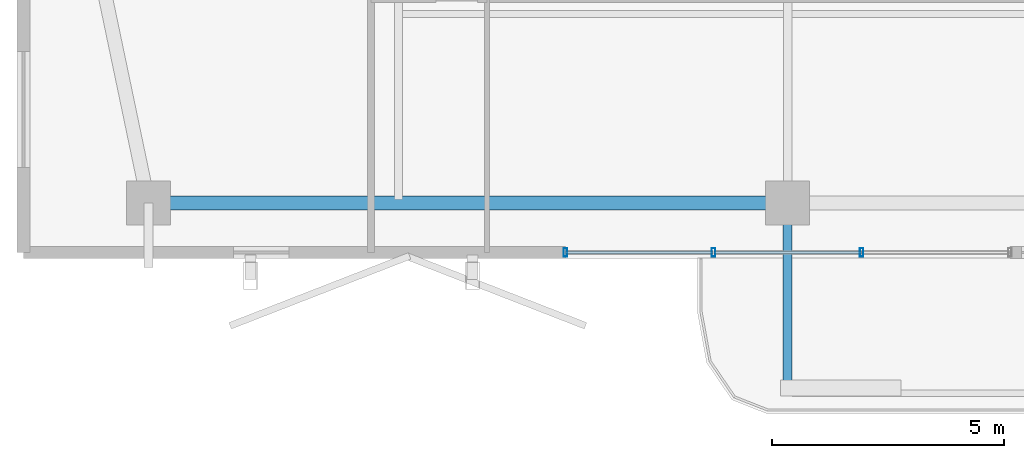
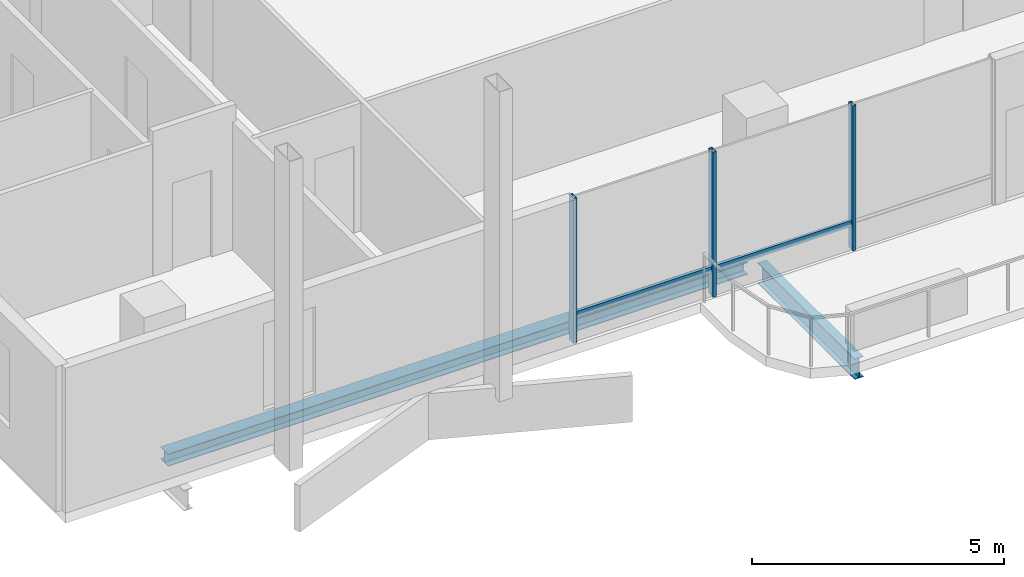
# One storey, part 3 of 20: 5 members, 2 beams, 1 element without a shape of its own.
"""IFC4 building model written with IfcOpenShell, lengths in metres."""

from ifc_helpers import new_model, si_unit, direction, frame, origin, origin_2d, place, context, subcontext, project, spatial, hollow_rectangle, i_section, extrude, material, layer, layer_set, material_profile, profile_set, type_object, element, aggregate, save


model = new_model("IFC4")

# Units and contexts
model_context = context("Model", 3, precision=1e-05, world=origin(), true_north=direction((0.0, 1.0)))
body_context = subcontext(model_context, "Body", "Model", "MODEL_VIEW")
ifc_project = project(units=[si_unit("LENGTHUNIT", "METRE"), si_unit("AREAUNIT", "SQUARE_METRE"), si_unit("VOLUMEUNIT", "CUBIC_METRE"), si_unit("PLANEANGLEUNIT", "RADIAN"), si_unit("MASSUNIT", "GRAM", prefix="KILO")], contexts=[model_context])

# Site, building, storey
site_placement = place(None, origin())
site = spatial("IfcSite", under=ifc_project, at=site_placement, CompositionType="ELEMENT")
building_placement = place(site_placement, origin())
building = spatial("IfcBuilding", under=site, at=building_placement, Name="Belovzor Exchange Tower", CompositionType="ELEMENT")
storey_placement = place(building_placement, frame((0.0, 0.0, 321.75)))
storey = spatial("IfcBuildingStorey", under=building, at=storey_placement, Name="L80", CompositionType="ELEMENT", Elevation=321.75)

# Beam
ifc_material_1 = material(Name="Steel S355", Category="steel")
ifc_material_profile_1 = material_profile(ifc_material_1, i_section(OverallWidth=0.199951171875, OverallDepth=0.5, WebThickness=0.01025390625, FlangeThickness=0.01611328125, at=origin_2d()))
ifc_profile_set_1 = profile_set([ifc_material_profile_1], Name="Steel S355")
beam_type_1 = type_object("IfcBeamType", Name="Planted Balcony Cantilever Beam IPE 500", PredefinedType="BEAM", material=ifc_profile_set_1)
beam_1_placement = place(storey_placement, frame((28.800048828125, 6.93896484375, -0.489990234375), z_axis=(0.0, -1.0, 0.0), x_axis=(1.0, 0.0, 0.0)))
element("IfcBeam", 1, at=beam_1_placement, inside=storey, type_object=beam_type_1, Name="BC-500 Planted Balcony Cantilever Beam IPE 500", PredefinedType="BEAM", context=body_context, shape_type="SweptSolid", body=[
    extrude(i_section(OverallWidth=0.199951171875, OverallDepth=0.5, WebThickness=0.01025390625, FlangeThickness=0.01611328125, at=origin_2d()), origin(), (0.0, 0.0, 1.0), 3.849853515625),
])

# Curtain wall, members
ifc_material_2 = material(Name="Anodised Aluminium Framing", Category="aluminium")
ifc_layer = layer(ifc_material_2, 0.179931640625)
ifc_layer_set = layer_set([ifc_layer], Name="Anodised Aluminium Framing")
curtain_wall_type = type_object("IfcCurtainWallType", Name="Recessed Loggia Low-Iron Triple-Glazed Curtain Wall", PredefinedType="NOTDEFINED", material=ifc_layer_set)
curtain_wall_placement = place(storey_placement, origin())
curtain_wall = element("IfcCurtainWall", 2, at=curtain_wall_placement, inside=storey, type_object=curtain_wall_type, Name="CW3 Recessed Loggia Low-Iron Triple-Glazed Curtain Wall L80", PredefinedType="NOTDEFINED")
ifc_material_3 = material(Name="Steel S355", Category="steel")
ifc_material_profile_2 = material_profile(ifc_material_3, hollow_rectangle(XDim=0.074951171875, YDim=0.179931640625, WallThickness=0.0048828125, at=origin_2d()))
ifc_profile_set_2 = profile_set([ifc_material_profile_2], Name="Steel S355")
member_type_1 = type_object("IfcMemberType", Name="Thermally Broken Curtain Wall Mullion 180x75", PredefinedType="MULLION", material=ifc_profile_set_2)
member_1_placement = place(storey_placement, frame((30.39990234375, 6.1298828125, 0.0), z_axis=(0.0, 0.0, 1.0), x_axis=(-1.0, 0.0, 0.0)))
member_1 = element("IfcMember", 3, at=member_1_placement, type_object=member_type_1, Name="CW-M180 Curtain Wall Mullion 2", PredefinedType="MULLION", context=body_context, shape_type="SweptSolid", body=[
    extrude(hollow_rectangle(XDim=0.074951171875, YDim=0.179931640625, WallThickness=0.0048828125, at=origin_2d()), origin(), (0.0, 0.0, 1.0), 3.510009765625),
])
member_2_placement = place(storey_placement, frame((27.199951171875, 6.1298828125, 0.0), z_axis=(0.0, 0.0, 1.0), x_axis=(-1.0, 0.0, 0.0)))
member_2 = element("IfcMember", 4, at=member_2_placement, type_object=member_type_1, Name="CW-M180 Curtain Wall Mullion 3", PredefinedType="MULLION", context=body_context, shape_type="SweptSolid", body=[
    extrude(hollow_rectangle(XDim=0.074951171875, YDim=0.179931640625, WallThickness=0.0048828125, at=origin_2d()), origin(), (0.0, 0.0, 1.0), 3.510009765625),
])
member_3_placement = place(storey_placement, frame((24.0, 6.1298828125, 0.0), z_axis=(0.0, 0.0, 1.0), x_axis=(-1.0, 0.0, 0.0)))
member_3 = element("IfcMember", 5, at=member_3_placement, type_object=member_type_1, Name="CW-M180 Curtain Wall Mullion 4", PredefinedType="MULLION", context=body_context, shape_type="SweptSolid", body=[
    extrude(hollow_rectangle(XDim=0.074951171875, YDim=0.179931640625, WallThickness=0.0048828125, at=origin_2d()), origin(), (0.0, 0.0, 1.0), 3.510009765625),
])
ifc_material_4 = material(Name="Steel S355", Category="steel")
ifc_material_profile_3 = material_profile(ifc_material_4, hollow_rectangle(XDim=0.06005859375, YDim=0.14990234375, WallThickness=0.00390625, at=origin_2d()))
ifc_profile_set_3 = profile_set([ifc_material_profile_3], Name="Steel S355")
member_type_2 = type_object("IfcMemberType", Name="Thermally Broken Curtain Wall Transom 150x60", PredefinedType="USERDEFINED", material=ifc_profile_set_3)
member_4_placement = place(storey_placement, frame((30.39208984375, 6.1298828125, 0.632080078125), z_axis=(-1.0, 0.0, 0.0), x_axis=(0.0, -1.0, 0.0)))
member_4 = element("IfcMember", 6, at=member_4_placement, type_object=member_type_2, Name="CW-T150 Curtain Wall Transom 2", ObjectType="TRANSOM", PredefinedType="USERDEFINED", context=body_context, shape_type="SweptSolid", body=[
    extrude(hollow_rectangle(XDim=0.06005859375, YDim=0.14990234375, WallThickness=0.00390625, at=origin_2d()), origin(), (0.0, 0.0, 1.0), 3.18408203125),
])
member_5_placement = place(storey_placement, frame((27.19189453125, 6.1298828125, 0.632080078125), z_axis=(-1.0, 0.0, 0.0), x_axis=(0.0, -1.0, 0.0)))
member_5 = element("IfcMember", 7, at=member_5_placement, type_object=member_type_2, Name="CW-T150 Curtain Wall Transom 3", ObjectType="TRANSOM", PredefinedType="USERDEFINED", context=body_context, shape_type="SweptSolid", body=[
    extrude(hollow_rectangle(XDim=0.06005859375, YDim=0.14990234375, WallThickness=0.00390625, at=origin_2d()), origin(), (0.0, 0.0, 1.0), 3.183837890625),
])
aggregate(curtain_wall, [member_1, member_2, member_3, member_4, member_5])

# Beam
ifc_material_5 = material(Name="Steel S355", Category="steel")
ifc_material_profile_4 = material_profile(ifc_material_5, i_section(OverallWidth=0.300048828125, OverallDepth=0.300048828125, WebThickness=0.008544921875, FlangeThickness=0.013916015625, at=origin_2d()))
ifc_profile_set_4 = profile_set([ifc_material_profile_4], Name="Steel S355")
beam_type_2 = type_object("IfcBeamType", Name="Zone 6 Primary Girder HEA 300", PredefinedType="BEAM", material=ifc_profile_set_4)
beam_2_placement = place(storey_placement, frame((15.260986328125, 7.199951171875, -0.389892578125), z_axis=(1.0, 0.0, 0.0), x_axis=(0.0, 1.0, 0.0)))
element("IfcBeam", 8, at=beam_2_placement, inside=storey, type_object=beam_type_2, Name="FG-Z6 Zone 6 Primary Girder HEA 300", PredefinedType="BEAM", context=body_context, shape_type="SweptSolid", body=[
    extrude(i_section(OverallWidth=0.300048828125, OverallDepth=0.300048828125, WebThickness=0.008544921875, FlangeThickness=0.013916015625, at=origin_2d()), origin(), (0.0, 0.0, 1.0), 13.278076171875),
])

save(model, "model.ifc")
